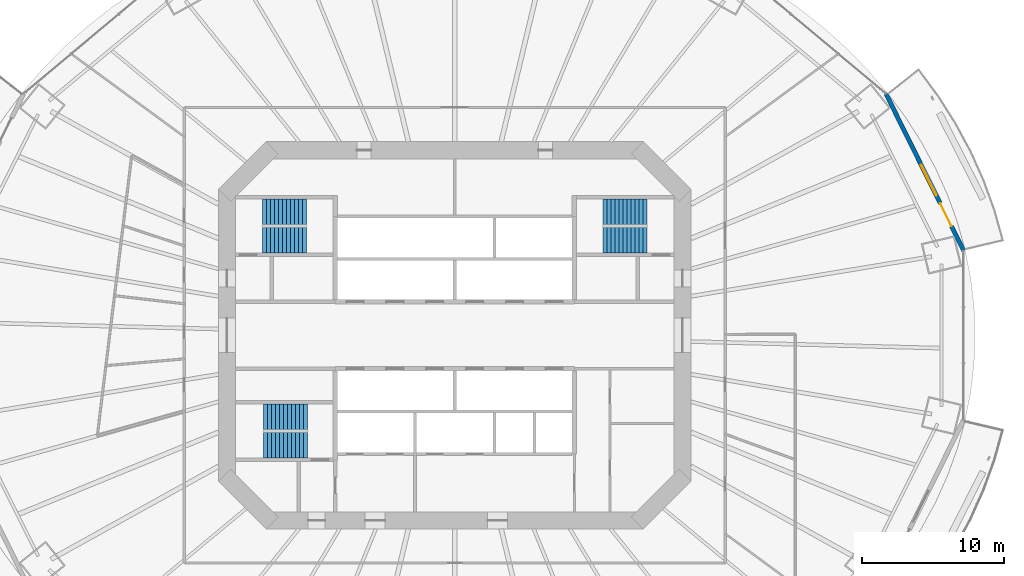
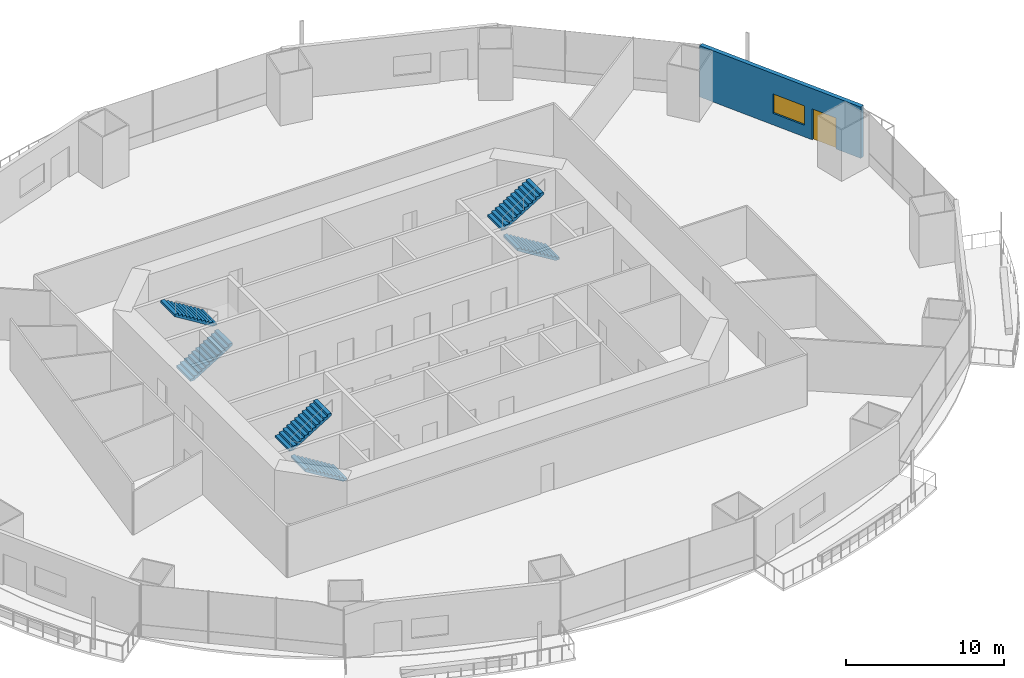
# One storey, part 17 of 23: 6 stair flights, 1 door, 1 wall, 1 window, 2 openings, 3 elements without a shape of their own.
"""IFC4 building model written with IfcOpenShell, lengths in metres."""

from ifc_helpers import new_model, si_unit, direction, frame, frame_2d, origin, place, context, subcontext, project, spatial, polyline, rectangle, outline, extrude, material, layer, layer_set, type_object, element, fill, aggregate, save


model = new_model("IFC4")

# Units and contexts
model_context = context("Model", 3, precision=1e-05, world=origin(), true_north=direction((0.0, 1.0)))
body_context = subcontext(model_context, "Body", "Model", "MODEL_VIEW")
ifc_project = project(units=[si_unit("LENGTHUNIT", "METRE"), si_unit("AREAUNIT", "SQUARE_METRE"), si_unit("VOLUMEUNIT", "CUBIC_METRE"), si_unit("PLANEANGLEUNIT", "RADIAN"), si_unit("MASSUNIT", "GRAM", prefix="KILO")], contexts=[model_context])

# Site, building, storey
site_placement = place(None, origin())
site = spatial("IfcSite", under=ifc_project, at=site_placement, CompositionType="ELEMENT")
building_placement = place(site_placement, origin())
building = spatial("IfcBuilding", under=site, at=building_placement, Name="Marenthal Gate Tower", CompositionType="ELEMENT")
storey_placement = place(building_placement, frame((0.0, 0.0, 53.75)))
storey = spatial("IfcBuildingStorey", under=building, at=storey_placement, Name="L09", CompositionType="ELEMENT", Elevation=53.75)

# Wall, openings, door, window
ifc_material_1 = material(Name="Terracotta cladding on insulated concrete-block backing", Category="masonry")
ifc_layer = layer(ifc_material_1, 0.300048828125)
ifc_layer_set = layer_set([ifc_layer], Name="Terracotta facade wall 300")
wall_type = type_object("IfcWallType", Name="Terracotta facade wall 300", PredefinedType="SOLIDWALL", material=ifc_layer_set)
wall_placement = place(storey_placement, frame((35.73779296875, 5.953125, 0.0), z_axis=(0.0, 0.0, 1.0), x_axis=(-0.443341984676, 0.89635254483, 0.0)))
wall = element("IfcWall", 1, at=wall_placement, inside=storey, type_object=wall_type, Name="Terracotta facade wall L09 bay 1", PredefinedType="SOLIDWALL", context=body_context, shape_type="SweptSolid", body=[
    extrude(rectangle(XDim=12.27197265625, YDim=0.300048828125, at=frame_2d((6.135986328125, 0.0))), origin(), (0.0, 0.0, 1.0), 3.969970703125),
])
opening_1_placement = place(wall_placement, frame((1.89990234375, 0.0, 0.0)))
opening_1 = element("IfcOpeningElement", 2, at=opening_1_placement, cuts=wall, Name="Opening BD-L09-01", PredefinedType="OPENING", context=body_context, shape_type="SweptSolid", body=[
    extrude(rectangle(XDim=1.800048828125, YDim=2.39990234375, at=frame_2d((0.89990234375, 1.199951171875))), frame((0.0, 0.16015625, 0.0), z_axis=(0.0, -1.0, 0.0), x_axis=(1.0, 0.0, 0.0)), (0.0, 0.0, 1.0), 0.320068359375),
])
opening_2_placement = place(wall_placement, frame((4.300048828125, 0.0, 0.89990234375)))
opening_2 = element("IfcOpeningElement", 3, at=opening_2_placement, cuts=wall, Name="Opening WN1-L09-01", PredefinedType="OPENING", context=body_context, shape_type="SweptSolid", body=[
    extrude(rectangle(XDim=2.39990234375, YDim=1.5, at=frame_2d((1.199951171875, 0.75))), frame((0.0, 0.16015625, 0.0), z_axis=(0.0, -1.0, 0.0), x_axis=(1.0, 0.0, 0.0)), (0.0, 0.0, 1.0), 0.320068359375),
])
ifc_material_2 = material(Name="Aluminium and glass", Category="aluminium")
door_type = type_object("IfcDoorType", Name="Balcony door 1800x2400", OperationType="DOUBLE_DOOR_SINGLE_SWING", PredefinedType="DOOR", material=ifc_material_2)
door_placement = place(opening_1_placement, origin())
door = element("IfcDoor", 4, at=door_placement, inside=storey, type_object=door_type, Name="Balcony door L09 bay 1", OperationType="SINGLE_SWING_LEFT", OverallHeight=2.39990234375, OverallWidth=1.800048828125, PredefinedType="DOOR", context=body_context, shape_type="SweptSolid", body=[
    extrude(rectangle(XDim=1.800048828125, YDim=2.39990234375, at=frame_2d((0.89990234375, 1.199951171875))), frame((0.0, 0.02490234375, 0.0), z_axis=(0.0, -1.0, 0.0), x_axis=(1.0, 0.0, 0.0)), (0.0, 0.0, 1.0), 0.050048828125),
])
fill(opening_1, door)
ifc_material_3 = material(Name="Aluminium and glass", Category="aluminium")
window_type = type_object("IfcWindowType", Name="Window 2400x1500", PartitioningType="TRIPLE_PANEL_VERTICAL", PredefinedType="WINDOW", material=ifc_material_3)
window_placement = place(opening_2_placement, origin())
window = element("IfcWindow", 5, at=window_placement, inside=storey, type_object=window_type, Name="Window L09 bay 1", OverallHeight=1.5, OverallWidth=2.39990234375, PartitioningType="SINGLE_PANEL", PredefinedType="WINDOW", context=body_context, shape_type="SweptSolid", body=[
    extrude(rectangle(XDim=2.39990234375, YDim=1.5, at=frame_2d((1.199951171875, 0.75))), frame((0.0, 0.030029296875, 0.0), z_axis=(0.0, -1.0, 0.0), x_axis=(1.0, 0.0, 0.0)), (0.0, 0.0, 1.0), 0.06005859375),
])
fill(opening_2, window)

# Stair, stair flights
ifc_material_4 = material(Name="Concrete 40 MPa", Category="concrete")
stair_type = type_object("IfcStairType", Name="Exit stair 1800", PredefinedType="HALF_TURN_STAIR", material=ifc_material_4)
stair_1_placement = place(storey_placement, origin())
stair_1 = element("IfcStair", 6, at=stair_1_placement, inside=storey, type_object=stair_type, Name="Stair ST1", PredefinedType="HALF_TURN_STAIR")
ifc_material_5 = material(Name="Concrete 40 MPa", Category="concrete")
stair_flight_type = type_object("IfcStairFlightType", Name="Stair flight 1800", PredefinedType="STRAIGHT", material=ifc_material_5)
stair_flight_1_placement = place(storey_placement, frame((-13.5, 6.675048828125, 0.0), z_axis=(0.0, 0.0, 1.0), x_axis=(1.0, 0.0, 0.0)))
stair_flight_1 = element("IfcStairFlight", 7, at=stair_flight_1_placement, type_object=stair_flight_type, Name="ST1 flight 1", NumberOfRisers=12, NumberOfTreads=11, PredefinedType="STRAIGHT", RiserHeight=0.172916667, TreadLength=0.28, context=body_context, shape_type="SweptSolid", body=[
    extrude(outline(polyline([(0.0, 0.0), (0.0, 0.1728515625), (0.280029296875, 0.1728515625), (0.280029296875, 0.345947265625), (0.56005859375, 0.345947265625), (0.56005859375, 0.518798828125), (0.840087890625, 0.518798828125), (0.840087890625, 0.691650390625), (1.1201171875, 0.691650390625), (1.1201171875, 0.864501953125), (1.39990234375, 0.864501953125), (1.39990234375, 1.03759765625), (1.679931640625, 1.03759765625), (1.679931640625, 1.21044921875), (1.9599609375, 1.21044921875), (1.9599609375, 1.38330078125), (2.239990234375, 1.38330078125), (2.239990234375, 1.55615234375), (2.52001953125, 1.55615234375), (2.52001953125, 1.729248046875), (2.800048828125, 1.729248046875), (2.800048828125, 1.902099609375), (3.080078125, 1.902099609375), (3.080078125, 2.074951171875), (3.080078125, 1.725830078125), (0.285400390625, 0.0), (0.0, 0.0)])), frame((0.0, 0.89990234375, 0.0), z_axis=(0.0, -1.0, 0.0), x_axis=(1.0, 0.0, 0.0)), (0.0, 0.0, 1.0), 1.800048828125),
])
stair_flight_2_placement = place(storey_placement, frame((-10.419921875, 8.675048828125, 2.074951171875), z_axis=(0.0, 0.0, 1.0), x_axis=(-1.0, 0.0, 0.0)))
stair_flight_2 = element("IfcStairFlight", 8, at=stair_flight_2_placement, type_object=stair_flight_type, Name="ST1 flight 2", NumberOfRisers=12, NumberOfTreads=11, PredefinedType="STRAIGHT", RiserHeight=0.172916667, TreadLength=0.28, context=body_context, shape_type="SweptSolid", body=[
    extrude(outline(polyline([(0.0, 0.0), (0.0, 0.1728515625), (0.280029296875, 0.1728515625), (0.280029296875, 0.345947265625), (0.56005859375, 0.345947265625), (0.56005859375, 0.518798828125), (0.840087890625, 0.518798828125), (0.840087890625, 0.691650390625), (1.1201171875, 0.691650390625), (1.1201171875, 0.864501953125), (1.39990234375, 0.864501953125), (1.39990234375, 1.03759765625), (1.679931640625, 1.03759765625), (1.679931640625, 1.21044921875), (1.9599609375, 1.21044921875), (1.9599609375, 1.38330078125), (2.239990234375, 1.38330078125), (2.239990234375, 1.55615234375), (2.52001953125, 1.55615234375), (2.52001953125, 1.729248046875), (2.800048828125, 1.729248046875), (2.800048828125, 1.902099609375), (3.080078125, 1.902099609375), (3.080078125, 2.074951171875), (3.080078125, 1.725830078125), (0.285400390625, 0.0), (0.0, 0.0)])), frame((0.0, 0.89990234375, 0.0), z_axis=(0.0, -1.0, 0.0), x_axis=(1.0, 0.0, 0.0)), (0.0, 0.0, 1.0), 1.800048828125),
])
aggregate(stair_1, [stair_flight_1, stair_flight_2])

stair_2_placement = place(storey_placement, origin())
stair_2 = element("IfcStair", 9, at=stair_2_placement, inside=storey, type_object=stair_type, Name="Stair ST2", PredefinedType="HALF_TURN_STAIR")
stair_flight_3_placement = place(storey_placement, frame((-10.35009765625, -7.72509765625, 0.0), z_axis=(0.0, 0.0, 1.0), x_axis=(-1.0, 0.0, 0.0)))
stair_flight_3 = element("IfcStairFlight", 10, at=stair_flight_3_placement, type_object=stair_flight_type, Name="ST2 flight 1", NumberOfRisers=12, NumberOfTreads=11, PredefinedType="STRAIGHT", RiserHeight=0.172916667, TreadLength=0.28, context=body_context, shape_type="SweptSolid", body=[
    extrude(outline(polyline([(0.0, 0.0), (0.0, 0.1728515625), (0.280029296875, 0.1728515625), (0.280029296875, 0.345947265625), (0.56005859375, 0.345947265625), (0.56005859375, 0.518798828125), (0.840087890625, 0.518798828125), (0.840087890625, 0.691650390625), (1.1201171875, 0.691650390625), (1.1201171875, 0.864501953125), (1.39990234375, 0.864501953125), (1.39990234375, 1.03759765625), (1.679931640625, 1.03759765625), (1.679931640625, 1.21044921875), (1.9599609375, 1.21044921875), (1.9599609375, 1.38330078125), (2.239990234375, 1.38330078125), (2.239990234375, 1.55615234375), (2.52001953125, 1.55615234375), (2.52001953125, 1.729248046875), (2.800048828125, 1.729248046875), (2.800048828125, 1.902099609375), (3.080078125, 1.902099609375), (3.080078125, 2.074951171875), (3.080078125, 1.725830078125), (0.285400390625, 0.0), (0.0, 0.0)])), frame((0.0, 0.89990234375, 0.0), z_axis=(0.0, -1.0, 0.0), x_axis=(1.0, 0.0, 0.0)), (0.0, 0.0, 1.0), 1.800048828125),
])
stair_flight_4_placement = place(storey_placement, frame((-13.429931640625, -5.72509765625, 2.074951171875), z_axis=(0.0, 0.0, 1.0), x_axis=(1.0, 0.0, 0.0)))
stair_flight_4 = element("IfcStairFlight", 11, at=stair_flight_4_placement, type_object=stair_flight_type, Name="ST2 flight 2", NumberOfRisers=12, NumberOfTreads=11, PredefinedType="STRAIGHT", RiserHeight=0.172916667, TreadLength=0.28, context=body_context, shape_type="SweptSolid", body=[
    extrude(outline(polyline([(0.0, 0.0), (0.0, 0.1728515625), (0.280029296875, 0.1728515625), (0.280029296875, 0.345947265625), (0.56005859375, 0.345947265625), (0.56005859375, 0.518798828125), (0.840087890625, 0.518798828125), (0.840087890625, 0.691650390625), (1.1201171875, 0.691650390625), (1.1201171875, 0.864501953125), (1.39990234375, 0.864501953125), (1.39990234375, 1.03759765625), (1.679931640625, 1.03759765625), (1.679931640625, 1.21044921875), (1.9599609375, 1.21044921875), (1.9599609375, 1.38330078125), (2.239990234375, 1.38330078125), (2.239990234375, 1.55615234375), (2.52001953125, 1.55615234375), (2.52001953125, 1.729248046875), (2.800048828125, 1.729248046875), (2.800048828125, 1.902099609375), (3.080078125, 1.902099609375), (3.080078125, 2.074951171875), (3.080078125, 1.725830078125), (0.285400390625, 0.0), (0.0, 0.0)])), frame((0.0, 0.89990234375, 0.0), z_axis=(0.0, -1.0, 0.0), x_axis=(1.0, 0.0, 0.0)), (0.0, 0.0, 1.0), 1.800048828125),
])
aggregate(stair_2, [stair_flight_3, stair_flight_4])

stair_3_placement = place(storey_placement, origin())
stair_3 = element("IfcStair", 12, at=stair_3_placement, inside=storey, type_object=stair_type, Name="Stair ST3", PredefinedType="HALF_TURN_STAIR")
stair_flight_5_placement = place(storey_placement, frame((13.5, 6.675048828125, 0.0), z_axis=(0.0, 0.0, 1.0), x_axis=(-1.0, 0.0, 0.0)))
stair_flight_5 = element("IfcStairFlight", 13, at=stair_flight_5_placement, type_object=stair_flight_type, Name="ST3 flight 1", NumberOfRisers=12, NumberOfTreads=11, PredefinedType="STRAIGHT", RiserHeight=0.172916667, TreadLength=0.28, context=body_context, shape_type="SweptSolid", body=[
    extrude(outline(polyline([(0.0, 0.0), (0.0, 0.1728515625), (0.280029296875, 0.1728515625), (0.280029296875, 0.345947265625), (0.56005859375, 0.345947265625), (0.56005859375, 0.518798828125), (0.840087890625, 0.518798828125), (0.840087890625, 0.691650390625), (1.1201171875, 0.691650390625), (1.1201171875, 0.864501953125), (1.39990234375, 0.864501953125), (1.39990234375, 1.03759765625), (1.679931640625, 1.03759765625), (1.679931640625, 1.21044921875), (1.9599609375, 1.21044921875), (1.9599609375, 1.38330078125), (2.239990234375, 1.38330078125), (2.239990234375, 1.55615234375), (2.52001953125, 1.55615234375), (2.52001953125, 1.729248046875), (2.800048828125, 1.729248046875), (2.800048828125, 1.902099609375), (3.080078125, 1.902099609375), (3.080078125, 2.074951171875), (3.080078125, 1.725830078125), (0.285400390625, 0.0), (0.0, 0.0)])), frame((0.0, 0.89990234375, 0.0), z_axis=(0.0, -1.0, 0.0), x_axis=(1.0, 0.0, 0.0)), (0.0, 0.0, 1.0), 1.800048828125),
])
stair_flight_6_placement = place(storey_placement, frame((10.419921875, 8.675048828125, 2.074951171875), z_axis=(0.0, 0.0, 1.0), x_axis=(1.0, 0.0, 0.0)))
stair_flight_6 = element("IfcStairFlight", 14, at=stair_flight_6_placement, type_object=stair_flight_type, Name="ST3 flight 2", NumberOfRisers=12, NumberOfTreads=11, PredefinedType="STRAIGHT", RiserHeight=0.172916667, TreadLength=0.28, context=body_context, shape_type="SweptSolid", body=[
    extrude(outline(polyline([(0.0, 0.0), (0.0, 0.1728515625), (0.280029296875, 0.1728515625), (0.280029296875, 0.345947265625), (0.56005859375, 0.345947265625), (0.56005859375, 0.518798828125), (0.840087890625, 0.518798828125), (0.840087890625, 0.691650390625), (1.1201171875, 0.691650390625), (1.1201171875, 0.864501953125), (1.39990234375, 0.864501953125), (1.39990234375, 1.03759765625), (1.679931640625, 1.03759765625), (1.679931640625, 1.21044921875), (1.9599609375, 1.21044921875), (1.9599609375, 1.38330078125), (2.239990234375, 1.38330078125), (2.239990234375, 1.55615234375), (2.52001953125, 1.55615234375), (2.52001953125, 1.729248046875), (2.800048828125, 1.729248046875), (2.800048828125, 1.902099609375), (3.080078125, 1.902099609375), (3.080078125, 2.074951171875), (3.080078125, 1.725830078125), (0.285400390625, 0.0), (0.0, 0.0)])), frame((0.0, 0.89990234375, 0.0), z_axis=(0.0, -1.0, 0.0), x_axis=(1.0, 0.0, 0.0)), (0.0, 0.0, 1.0), 1.800048828125),
])
aggregate(stair_3, [stair_flight_5, stair_flight_6])

save(model, "model.ifc")
